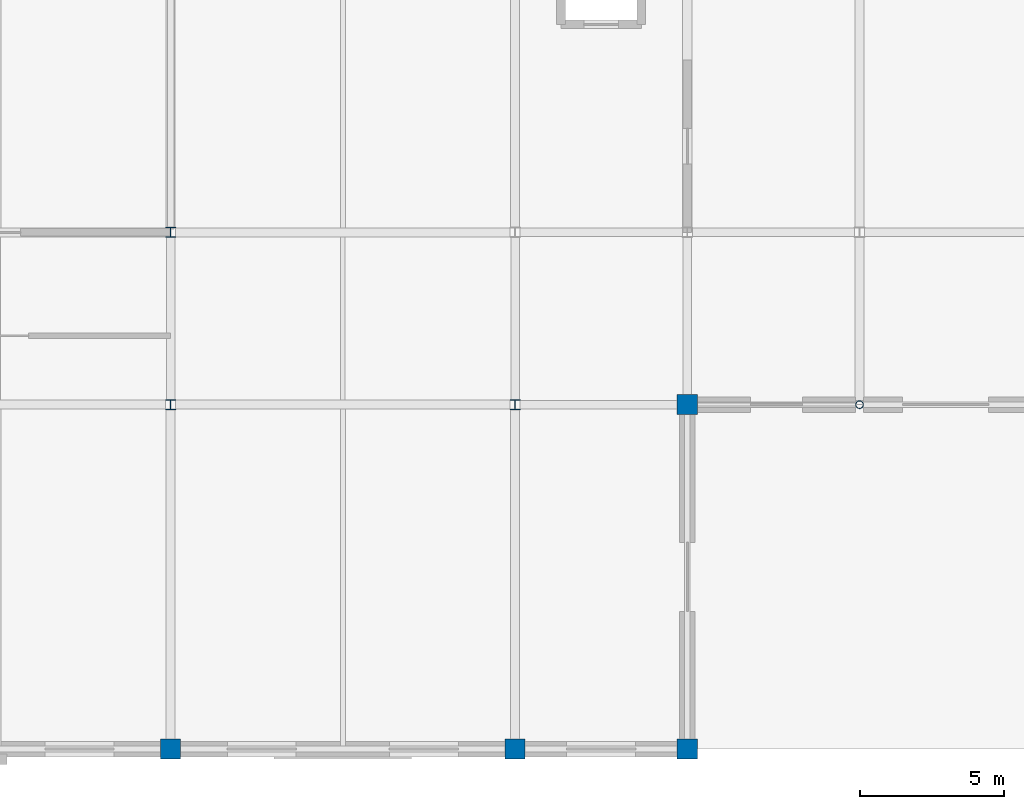
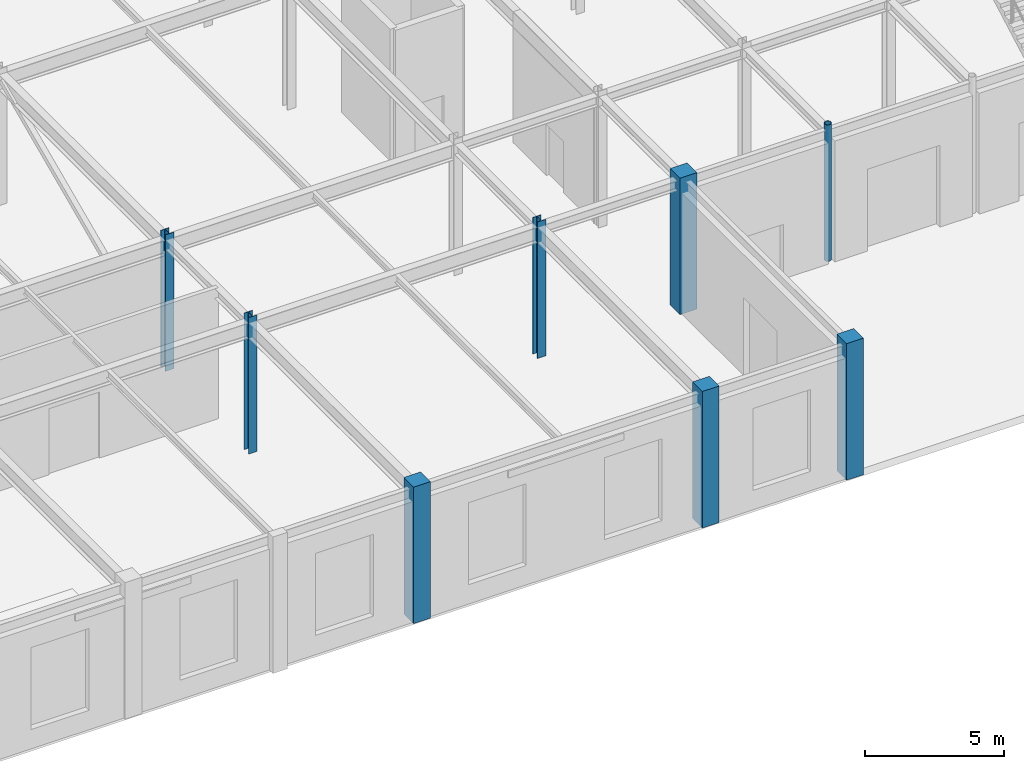
# One storey, part 3 of 51: 8 columns.
"""IFC4 building model written with IfcOpenShell, lengths in metres."""

from ifc_helpers import new_model, si_unit, direction, frame, origin, origin_2d, place, context, subcontext, project, spatial, rectangle, hollow_circle, i_section, extrude, material, material_profile, profile_set, type_object, element, save


model = new_model("IFC4")

# Units and contexts
model_context = context("Model", 3, precision=1e-05, world=origin(), true_north=direction((0.0, 1.0)))
body_context = subcontext(model_context, "Body", "Model", "MODEL_VIEW")
ifc_project = project(units=[si_unit("LENGTHUNIT", "METRE"), si_unit("AREAUNIT", "SQUARE_METRE"), si_unit("VOLUMEUNIT", "CUBIC_METRE"), si_unit("PLANEANGLEUNIT", "RADIAN"), si_unit("MASSUNIT", "GRAM", prefix="KILO")], contexts=[model_context])

# Site, building, storey
site_placement = place(None, origin())
site = spatial("IfcSite", under=ifc_project, at=site_placement, CompositionType="ELEMENT")
building_placement = place(site_placement, origin())
building = spatial("IfcBuilding", under=site, at=building_placement, Name="Zlatovratsky Civic Hall", CompositionType="ELEMENT")
storey_placement = place(building_placement, origin())
storey = spatial("IfcBuildingStorey", under=building, at=storey_placement, Name="L01", CompositionType="ELEMENT", Elevation=0.0)

# Columns
ifc_material_1 = material(Name="Concrete C35/45 (B40)", Category="concrete")
ifc_material_profile_1 = material_profile(ifc_material_1, rectangle(XDim=0.699951171875, YDim=0.699951171875, at=origin_2d()), Name="RC 700x700")
ifc_profile_set_1 = profile_set([ifc_material_profile_1], Name="Concrete C35/45 (B40)")
column_type_1 = type_object("IfcColumnType", Name="Col_CorePier_RC700", PredefinedType="COLUMN", material=ifc_profile_set_1)
for number, where, z_axis, x_axis, name in (
    (1, (36.0, 0.0, 0.0), (0.0, 0.0, 1.0), (1.0, 0.0, 0.0), "CL-0421"),
    (2, (48.0, 0.0, 0.0), (0.0, 0.0, 1.0), (1.0, 0.0, 0.0), "CL-0422"),
    (3, (54.0, 0.0, 0.0), (0.0, 0.0, 1.0), (1.0, 0.0, 0.0), "CL-0423"),
    (4, (54.0, 12.0, 0.0), (0.0, 0.0, 1.0), (1.0, 0.0, 0.0), "CL-0437"),
):
    element("IfcColumn", number, at=place(storey_placement, frame(where, z_axis=z_axis, x_axis=x_axis)), inside=storey, type_object=column_type_1, Name=name, PredefinedType="COLUMN", context=body_context, shape_type="SweptSolid", body=[
        extrude(rectangle(XDim=0.699951171875, YDim=0.699951171875, at=origin_2d()), origin(), (0.0, 0.0, 1.0), 6.0),
    ])
ifc_material_2 = material(Name="Steel S355", Category="steel")
ifc_material_profile_2 = material_profile(ifc_material_2, hollow_circle(Radius=0.136474609375, WallThickness=0.010009765625, at=origin_2d()), Name="CHS 273x10")
ifc_profile_set_2 = profile_set([ifc_material_profile_2], Name="Steel S355")
column_type_2 = type_object("IfcColumnType", Name="Col_Portico_CHS273", PredefinedType="COLUMN", material=ifc_profile_set_2)
column_placement = place(storey_placement, frame((60.0, 12.0, 0.0), z_axis=(0.0, 0.0, 1.0), x_axis=(1.0, 0.0, 0.0)))
element("IfcColumn", 5, at=column_placement, inside=storey, type_object=column_type_2, Name="CL-0438", PredefinedType="COLUMN", context=body_context, shape_type="SweptSolid", body=[
    extrude(hollow_circle(Radius=0.136474609375, WallThickness=0.010009765625, at=origin_2d()), origin(), (0.0, 0.0, 1.0), 6.0),
])
ifc_material_profile_3 = material_profile(ifc_material_2, i_section(OverallWidth=0.35009765625, OverallDepth=0.343017578125, WebThickness=0.010009765625, FlangeThickness=0.014892578125, FilletRadius=0.02001953125, at=origin_2d()), Name="35K1")
ifc_profile_set_3 = profile_set([ifc_material_profile_3], Name="Steel S355")
column_type_3 = type_object("IfcColumnType", Name="Col_Steel_35K1", PredefinedType="COLUMN", material=ifc_profile_set_3)
for number, where, z_axis, x_axis, name in (
    (6, (36.0, 12.0, 0.0), (0.0, 0.0, 1.0), (1.0, 0.0, 0.0), "CL-0435"),
    (7, (48.0, 12.0, 0.0), (0.0, 0.0, 1.0), (1.0, 0.0, 0.0), "CL-0436"),
    (8, (36.0, 18.0, 0.0), (0.0, 0.0, 1.0), (1.0, 0.0, 0.0), "CL-0458"),
):
    element("IfcColumn", number, at=place(storey_placement, frame(where, z_axis=z_axis, x_axis=x_axis)), inside=storey, type_object=column_type_3, Name=name, PredefinedType="COLUMN", context=body_context, shape_type="SweptSolid", body=[
        extrude(i_section(OverallWidth=0.35009765625, OverallDepth=0.343017578125, WebThickness=0.010009765625, FlangeThickness=0.014892578125, FilletRadius=0.02001953125, at=origin_2d()), origin(), (0.0, 0.0, 1.0), 6.0),
    ])

save(model, "model.ifc")
